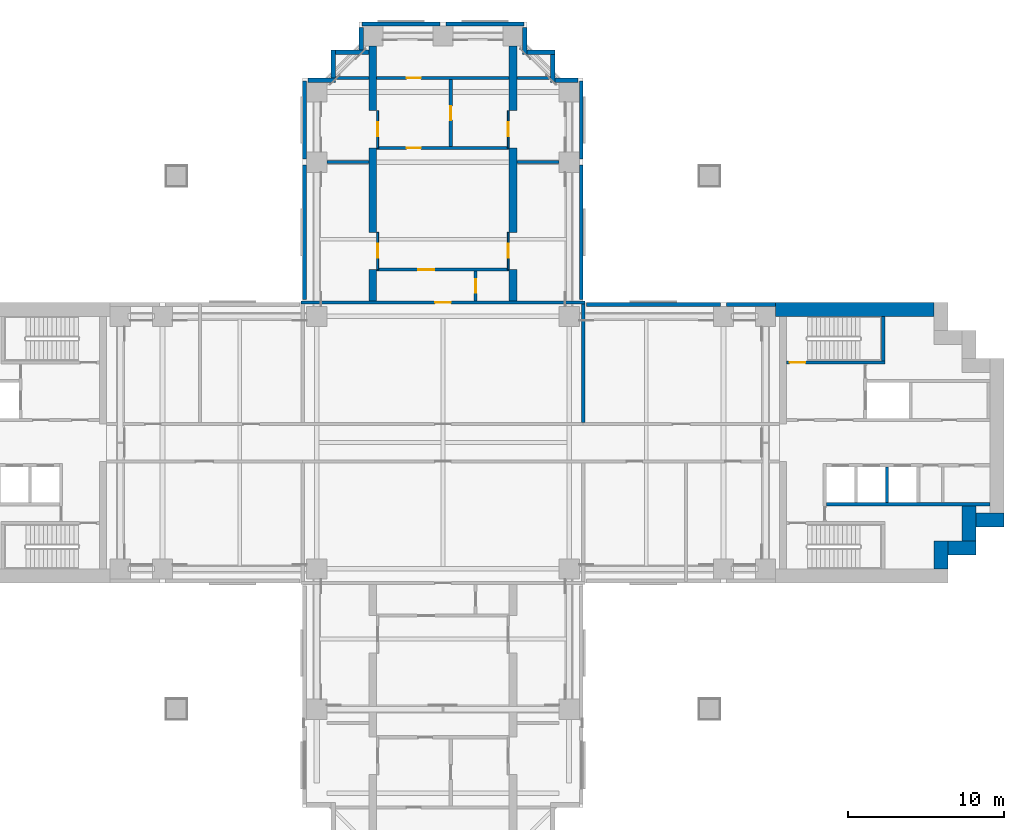
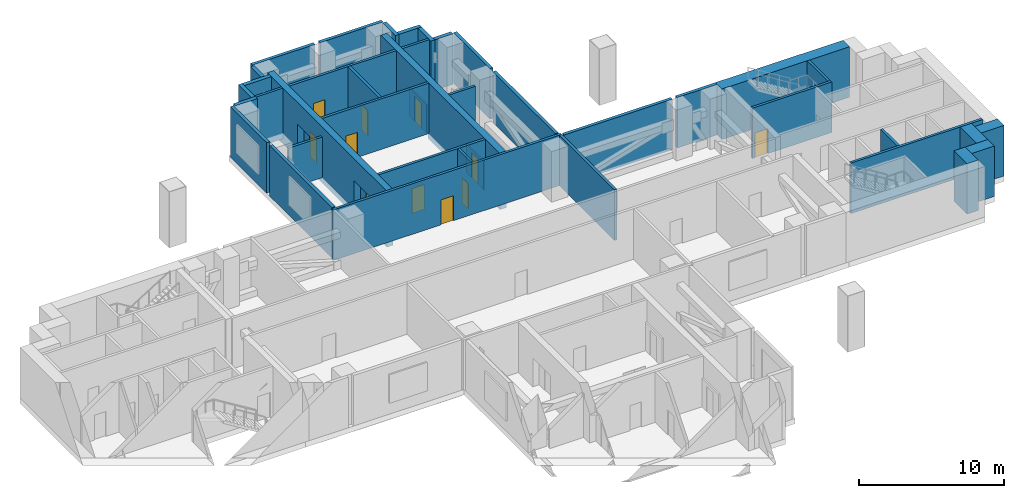
# One storey, part 6 of 10: 42 walls, 11 doors, 11 openings.
"""IFC4 building model written with IfcOpenShell, lengths in metres."""

from ifc_helpers import new_model, si_unit, direction, frame, frame_2d, origin, place, context, subcontext, project, spatial, polyline, rectangle, outline, extrude, material, layer, layer_set, material_profile, profile_set, type_object, element, fill, save


model = new_model("IFC4")

# Units and contexts
model_context = context("Model", 3, precision=1e-05, world=origin(), true_north=direction((0.0, 1.0)))
body_context = subcontext(model_context, "Body", "Model", "MODEL_VIEW")
ifc_project = project(units=[si_unit("LENGTHUNIT", "METRE"), si_unit("AREAUNIT", "SQUARE_METRE"), si_unit("VOLUMEUNIT", "CUBIC_METRE"), si_unit("PLANEANGLEUNIT", "RADIAN"), si_unit("MASSUNIT", "GRAM", prefix="KILO")], contexts=[model_context])

# Site, building, storey
site_placement = place(None, origin())
site = spatial("IfcSite", under=ifc_project, at=site_placement, CompositionType="ELEMENT")
building_placement = place(site_placement, origin())
building = spatial("IfcBuilding", under=site, at=building_placement, Name="Perihelion Cross Residences", CompositionType="ELEMENT")
storey_placement = place(building_placement, frame((0.0, 0.0, 97.89990234375)))
storey = spatial("IfcBuildingStorey", under=building, at=storey_placement, Name="L22", CompositionType="ELEMENT", Elevation=97.89990234375)

# Wall
ifc_material_1 = material(Name="Plasterboard partition")
ifc_layer_1 = layer(ifc_material_1, 0.199951171875)
ifc_layer_set_1 = layer_set([ifc_layer_1], Name="Apartment riser wall 200")
wall_type_1 = type_object("IfcWallType", Name="Apartment riser wall 200", PredefinedType="PARTITIONING", material=ifc_layer_set_1)
wall_1_placement = place(storey_placement, frame((9.0, 8.89990234375, 0.0), z_axis=(0.0, 0.0, 1.0), x_axis=(0.0, -1.0, 0.0)))
element("IfcWall", 1, at=wall_1_placement, inside=storey, type_object=wall_type_1, Name="Partition L22 W005", PredefinedType="PARTITIONING", context=body_context, shape_type="SweptSolid", body=[
    extrude(rectangle(XDim=7.599853515625, YDim=0.199951171875, at=frame_2d((3.7998046875, 0.0))), origin(), (0.0, 0.0, 1.0), 4.25),
])

# Wall, opening, door
wall_2_placement = place(storey_placement, frame((-9.10009765625, 9.0, 0.0), z_axis=(0.0, 0.0, 1.0), x_axis=(1.0, 0.0, 0.0)))
wall_2 = element("IfcWall", 2, at=wall_2_placement, inside=storey, type_object=wall_type_1, Name="Partition L22 W007", PredefinedType="PARTITIONING", context=body_context, shape_type="SweptSolid", body=[
    extrude(rectangle(XDim=18.2001953125, YDim=0.199951171875, at=frame_2d((9.10009765625, 0.0))), origin(), (0.0, 0.0, 1.0), 4.25),
])
opening_1_placement = place(wall_2_placement, frame((8.60009765625, 0.0, 0.0)))
opening_1 = element("IfcOpeningElement", 3, at=opening_1_placement, cuts=wall_2, Name="Opening L22.A09", PredefinedType="OPENING", context=body_context, shape_type="SweptSolid", body=[
    extrude(rectangle(XDim=1.0, YDim=2.10009765625, at=frame_2d((0.5, 1.050048828125))), frame((0.0, 0.10986328125, 0.0), z_axis=(0.0, -1.0, 0.0), x_axis=(1.0, 0.0, 0.0)), (0.0, 0.0, 1.0), 0.219970703125),
])
ifc_material_2 = material(Name="Steel door leaf", Category="steel")
door_type_1 = type_object("IfcDoorType", Name="Plant floor door 1000 x 2100", OperationType="SINGLE_SWING_LEFT", PredefinedType="DOOR", material=ifc_material_2)
door_1_placement = place(opening_1_placement, origin())
door_1 = element("IfcDoor", 4, at=door_1_placement, inside=storey, type_object=door_type_1, Name="Door L22.A09", OperationType="SINGLE_SWING_LEFT", OverallHeight=2.10009765625, OverallWidth=1.0, PredefinedType="DOOR", context=body_context, shape_type="SweptSolid", body=[
    extrude(rectangle(XDim=1.0, YDim=2.10009765625, at=frame_2d((0.5, 1.050048828125))), frame((0.0, 0.02490234375, 0.0), z_axis=(0.0, -1.0, 0.0), x_axis=(1.0, 0.0, 0.0)), (0.0, 0.0, 1.0), 0.050048828125),
])
fill(opening_1, door_1)

wall_3_placement = place(storey_placement, frame((2.10009765625, 11.0, 0.0), z_axis=(0.0, 0.0, 1.0), x_axis=(0.0, -1.0, 0.0)))
wall_3 = element("IfcWall", 5, at=wall_3_placement, inside=storey, type_object=wall_type_1, Name="Partition L22 W013", PredefinedType="PARTITIONING", context=body_context, shape_type="SweptSolid", body=[
    extrude(rectangle(XDim=1.89990234375, YDim=0.199951171875, at=frame_2d((0.949951171875, 0.0))), origin(), (0.0, 0.0, 1.0), 4.25),
])
opening_2_placement = place(wall_3_placement, frame((0.52490234375, 0.0, 0.0)))
opening_2 = element("IfcOpeningElement", 6, at=opening_2_placement, cuts=wall_3, Name="Opening L22.A10", PredefinedType="OPENING", context=body_context, shape_type="SweptSolid", body=[
    extrude(rectangle(XDim=0.85009765625, YDim=2.10009765625, at=frame_2d((0.425048828125, 1.050048828125))), frame((0.0, 0.10986328125, 0.0), z_axis=(0.0, -1.0, 0.0), x_axis=(1.0, 0.0, 0.0)), (0.0, 0.0, 1.0), 0.219970703125),
])
ifc_material_3 = material(Name="Timber door leaf", Category="wood")
door_type_2 = type_object("IfcDoorType", Name="Interior bathroom door 850 x 2100", OperationType="SINGLE_SWING_LEFT", PredefinedType="DOOR", material=ifc_material_3)
door_2_placement = place(opening_2_placement, origin())
door_2 = element("IfcDoor", 7, at=door_2_placement, inside=storey, type_object=door_type_2, Name="Door L22.A10", OperationType="SINGLE_SWING_RIGHT", OverallHeight=2.10009765625, OverallWidth=0.85009765625, PredefinedType="DOOR", context=body_context, shape_type="SweptSolid", body=[
    extrude(rectangle(XDim=0.85009765625, YDim=2.10009765625, at=frame_2d((0.425048828125, 1.050048828125))), frame((0.0, 0.02490234375, 0.0), z_axis=(0.0, -1.0, 0.0), x_axis=(1.0, 0.0, 0.0)), (0.0, 0.0, 1.0), 0.050048828125),
])
fill(opening_2, door_2)

wall_4_placement = place(storey_placement, frame((-4.25, 11.10009765625, 0.0), z_axis=(0.0, 0.0, 1.0), x_axis=(1.0, 0.0, 0.0)))
wall_4 = element("IfcWall", 8, at=wall_4_placement, inside=storey, type_object=wall_type_1, Name="Partition L22 W014", PredefinedType="PARTITIONING", context=body_context, shape_type="SweptSolid", body=[
    extrude(rectangle(XDim=8.5, YDim=0.199951171875, at=frame_2d((4.25, 0.0))), origin(), (0.0, 0.0, 1.0), 4.25),
])
opening_3_placement = place(wall_4_placement, frame((2.675048828125, 0.0, 0.0)))
opening_3 = element("IfcOpeningElement", 9, at=opening_3_placement, cuts=wall_4, Name="Opening L22.A11", PredefinedType="OPENING", context=body_context, shape_type="SweptSolid", body=[
    extrude(rectangle(XDim=1.0, YDim=2.10009765625, at=frame_2d((0.5, 1.050048828125))), frame((0.0, 0.10986328125, 0.0), z_axis=(0.0, -1.0, 0.0), x_axis=(1.0, 0.0, 0.0)), (0.0, 0.0, 1.0), 0.219970703125),
])
door_3_placement = place(opening_3_placement, origin())
door_3 = element("IfcDoor", 10, at=door_3_placement, inside=storey, type_object=door_type_1, Name="Door L22.A11", OperationType="SINGLE_SWING_RIGHT", OverallHeight=2.10009765625, OverallWidth=1.0, PredefinedType="DOOR", context=body_context, shape_type="SweptSolid", body=[
    extrude(rectangle(XDim=1.0, YDim=2.10009765625, at=frame_2d((0.5, 1.050048828125))), frame((0.0, 0.02490234375, 0.0), z_axis=(0.0, -1.0, 0.0), x_axis=(1.0, 0.0, 0.0)), (0.0, 0.0, 1.0), 0.050048828125),
])
fill(opening_3, door_3)

wall_5_placement = place(storey_placement, frame((-4.25, 18.89990234375, 0.0), z_axis=(0.0, 0.0, 1.0), x_axis=(1.0, 0.0, 0.0)))
wall_5 = element("IfcWall", 11, at=wall_5_placement, inside=storey, type_object=wall_type_1, Name="Partition L22 W015", PredefinedType="PARTITIONING", context=body_context, shape_type="SweptSolid", body=[
    extrude(rectangle(XDim=8.5, YDim=0.199951171875, at=frame_2d((4.25, 0.0))), origin(), (0.0, 0.0, 1.0), 4.25),
])
opening_4_placement = place(wall_5_placement, frame((1.925048828125, 0.0, 0.0)))
opening_4 = element("IfcOpeningElement", 12, at=opening_4_placement, cuts=wall_5, Name="Opening L22.A12", PredefinedType="OPENING", context=body_context, shape_type="SweptSolid", body=[
    extrude(rectangle(XDim=0.89990234375, YDim=2.10009765625, at=frame_2d((0.449951171875, 1.050048828125))), frame((0.0, 0.10986328125, 0.0), z_axis=(0.0, -1.0, 0.0), x_axis=(1.0, 0.0, 0.0)), (0.0, 0.0, 1.0), 0.219970703125),
])
ifc_material_4 = material(Name="Timber door leaf", Category="wood")
door_type_3 = type_object("IfcDoorType", Name="Interior room door 900 x 2100", OperationType="SINGLE_SWING_LEFT", PredefinedType="DOOR", material=ifc_material_4)
door_4_placement = place(opening_4_placement, origin())
door_4 = element("IfcDoor", 13, at=door_4_placement, inside=storey, type_object=door_type_3, Name="Door L22.A12", OperationType="SINGLE_SWING_LEFT", OverallHeight=2.10009765625, OverallWidth=0.89990234375, PredefinedType="DOOR", context=body_context, shape_type="SweptSolid", body=[
    extrude(rectangle(XDim=0.89990234375, YDim=2.10009765625, at=frame_2d((0.449951171875, 1.050048828125))), frame((0.0, 0.02490234375, 0.0), z_axis=(0.0, -1.0, 0.0), x_axis=(1.0, 0.0, 0.0)), (0.0, 0.0, 1.0), 0.050048828125),
])
fill(opening_4, door_4)

wall_6_placement = place(storey_placement, frame((0.5, 23.300048828125, 0.0), z_axis=(0.0, 0.0, 1.0), x_axis=(0.0, -1.0, 0.0)))
wall_6 = element("IfcWall", 14, at=wall_6_placement, inside=storey, type_object=wall_type_1, Name="Partition L22 W016", PredefinedType="PARTITIONING", context=body_context, shape_type="SweptSolid", body=[
    extrude(rectangle(XDim=4.300048828125, YDim=0.199951171875, at=frame_2d((2.14990234375, 0.0))), origin(), (0.0, 0.0, 1.0), 4.25),
])
opening_5_placement = place(wall_6_placement, frame((1.699951171875, 0.0, 0.0)))
opening_5 = element("IfcOpeningElement", 15, at=opening_5_placement, cuts=wall_6, Name="Opening L22.A13", PredefinedType="OPENING", context=body_context, shape_type="SweptSolid", body=[
    extrude(rectangle(XDim=0.89990234375, YDim=2.10009765625, at=frame_2d((0.449951171875, 1.050048828125))), frame((0.0, 0.10986328125, 0.0), z_axis=(0.0, -1.0, 0.0), x_axis=(1.0, 0.0, 0.0)), (0.0, 0.0, 1.0), 0.219970703125),
])
door_5_placement = place(opening_5_placement, origin())
door_5 = element("IfcDoor", 16, at=door_5_placement, inside=storey, type_object=door_type_3, Name="Door L22.A13", OperationType="SINGLE_SWING_RIGHT", OverallHeight=2.10009765625, OverallWidth=0.89990234375, PredefinedType="DOOR", context=body_context, shape_type="SweptSolid", body=[
    extrude(rectangle(XDim=0.89990234375, YDim=2.10009765625, at=frame_2d((0.449951171875, 1.050048828125))), frame((0.0, 0.02490234375, 0.0), z_axis=(0.0, -1.0, 0.0), x_axis=(1.0, 0.0, 0.0)), (0.0, 0.0, 1.0), 0.050048828125),
])
fill(opening_5, door_5)

wall_7_placement = place(storey_placement, frame((-4.25, 23.39990234375, 0.0), z_axis=(0.0, 0.0, 1.0), x_axis=(1.0, 0.0, 0.0)))
wall_7 = element("IfcWall", 17, at=wall_7_placement, inside=storey, type_object=wall_type_1, Name="Partition L22 W017", PredefinedType="PARTITIONING", context=body_context, shape_type="SweptSolid", body=[
    extrude(rectangle(XDim=8.5, YDim=0.199951171875, at=frame_2d((4.25, 0.0))), origin(), (0.0, 0.0, 1.0), 4.25),
])
opening_6_placement = place(wall_7_placement, frame((1.925048828125, 0.0, 0.0)))
opening_6 = element("IfcOpeningElement", 18, at=opening_6_placement, cuts=wall_7, Name="Opening L22.A14", PredefinedType="OPENING", context=body_context, shape_type="SweptSolid", body=[
    extrude(rectangle(XDim=0.89990234375, YDim=2.10009765625, at=frame_2d((0.449951171875, 1.050048828125))), frame((0.0, 0.10986328125, 0.0), z_axis=(0.0, -1.0, 0.0), x_axis=(1.0, 0.0, 0.0)), (0.0, 0.0, 1.0), 0.219970703125),
])
door_6_placement = place(opening_6_placement, origin())
door_6 = element("IfcDoor", 19, at=door_6_placement, inside=storey, type_object=door_type_3, Name="Door L22.A14", OperationType="SINGLE_SWING_RIGHT", OverallHeight=2.10009765625, OverallWidth=0.89990234375, PredefinedType="DOOR", context=body_context, shape_type="SweptSolid", body=[
    extrude(rectangle(XDim=0.89990234375, YDim=2.10009765625, at=frame_2d((0.449951171875, 1.050048828125))), frame((0.0, 0.02490234375, 0.0), z_axis=(0.0, -1.0, 0.0), x_axis=(1.0, 0.0, 0.0)), (0.0, 0.0, 1.0), 0.050048828125),
])
fill(opening_6, door_6)

# Walls
wall_8_placement = place(storey_placement, frame((4.75, 18.0, 0.0), z_axis=(0.0, 0.0, 1.0), x_axis=(1.0, 0.0, 0.0)))
element("IfcWall", 20, at=wall_8_placement, inside=storey, type_object=wall_type_1, Name="Partition L22 W018", PredefinedType="PARTITIONING", context=body_context, shape_type="SweptSolid", body=[
    extrude(rectangle(XDim=2.699951171875, YDim=0.199951171875, at=frame_2d((1.35009765625, 0.0))), origin(), (0.0, 0.0, 1.0), 3.4140625),
])
wall_9_placement = place(storey_placement, frame((4.75, 23.39990234375, 0.0), z_axis=(0.0, 0.0, 1.0), x_axis=(1.0, 0.0, 0.0)))
element("IfcWall", 21, at=wall_9_placement, inside=storey, type_object=wall_type_1, Name="Partition L22 W019", PredefinedType="PARTITIONING", context=body_context, shape_type="SweptSolid", body=[
    extrude(rectangle(XDim=2.14990234375, YDim=0.199951171875, at=frame_2d((1.074951171875, 0.0))), origin(), (0.0, 0.0, 1.0), 4.25),
])
wall_10_placement = place(storey_placement, frame((-7.449951171875, 18.0, 0.0), z_axis=(0.0, 0.0, 1.0), x_axis=(1.0, 0.0, 0.0)))
element("IfcWall", 22, at=wall_10_placement, inside=storey, type_object=wall_type_1, Name="Partition L22 W020", PredefinedType="PARTITIONING", context=body_context, shape_type="SweptSolid", body=[
    extrude(rectangle(XDim=2.699951171875, YDim=0.199951171875, at=frame_2d((1.35009765625, 0.0))), origin(), (0.0, 0.0, 1.0), 3.4140625),
])
wall_11_placement = place(storey_placement, frame((-6.89990234375, 23.39990234375, 0.0), z_axis=(0.0, 0.0, 1.0), x_axis=(1.0, 0.0, 0.0)))
element("IfcWall", 23, at=wall_11_placement, inside=storey, type_object=wall_type_1, Name="Partition L22 W021", PredefinedType="PARTITIONING", context=body_context, shape_type="SweptSolid", body=[
    extrude(rectangle(XDim=2.14990234375, YDim=0.199951171875, at=frame_2d((1.074951171875, 0.0))), origin(), (0.0, 0.0, 1.0), 4.25),
])
ifc_material_5 = material(Name="Concrete C30/37, bronze-clad", Category="concrete")
ifc_layer_2 = layer(ifc_material_5, 0.300048828125)
ifc_layer_set_2 = layer_set([ifc_layer_2], Name="Bronze-clad serration wall 300")
wall_type_2 = type_object("IfcWallType", Name="Bronze-clad serration wall 300", PredefinedType="SOLIDWALL", material=ifc_layer_set_2)
wall_12_placement = place(storey_placement, frame((8.64990234375, 23.25, 0.0), z_axis=(0.0, 0.0, 1.0), x_axis=(-1.0, 0.0, 0.0)))
element("IfcWall", 24, at=wall_12_placement, inside=storey, type_object=wall_type_2, Name="Wall SR1 L22 north corner north-east 1", PredefinedType="SOLIDWALL", context=body_context, shape_type="SweptSolid", body=[
    extrude(rectangle(XDim=1.449951171875, YDim=0.300048828125, at=frame_2d((0.72509765625, 0.0))), origin(), (0.0, 0.0, 1.0), 4.25),
])
wall_13_placement = place(storey_placement, frame((7.050048828125, 23.10009765625, 0.0), z_axis=(0.0, 0.0, 1.0), x_axis=(0.0, 1.0, 0.0)))
element("IfcWall", 25, at=wall_13_placement, inside=storey, type_object=wall_type_2, Name="Wall SR1 L22 north corner north-east 2", PredefinedType="SOLIDWALL", context=body_context, shape_type="SweptSolid", body=[
    extrude(rectangle(XDim=1.7998046875, YDim=0.300048828125, at=frame_2d((0.89990234375, 0.0))), origin(), (0.0, 0.0, 1.0), 4.25),
])
wall_14_placement = place(storey_placement, frame((7.199951171875, 25.050048828125, 0.0), z_axis=(0.0, 0.0, 1.0), x_axis=(-1.0, 0.0, 0.0)))
element("IfcWall", 26, at=wall_14_placement, inside=storey, type_object=wall_type_2, Name="Wall SR1 L22 north corner north-east 3", PredefinedType="SOLIDWALL", context=body_context, shape_type="SweptSolid", body=[
    extrude(rectangle(XDim=1.800048828125, YDim=0.300048828125, at=frame_2d((0.89990234375, 0.0))), origin(), (0.0, 0.0, 1.0), 4.25),
])
wall_15_placement = place(storey_placement, frame((5.25, 24.89990234375, 0.0), z_axis=(0.0, 0.0, 1.0), x_axis=(0.0, 1.0, 0.0)))
element("IfcWall", 27, at=wall_15_placement, inside=storey, type_object=wall_type_2, Name="Wall SR1 L22 north corner north-east 4", PredefinedType="SOLIDWALL", context=body_context, shape_type="SweptSolid", body=[
    extrude(rectangle(XDim=1.75, YDim=0.300048828125, at=frame_2d((0.875, 0.0))), origin(), (0.0, 0.0, 1.0), 4.25),
])
wall_16_placement = place(storey_placement, frame((-5.25, 26.64990234375, 0.0), z_axis=(0.0, 0.0, 1.0), x_axis=(0.0, -1.0, 0.0)))
element("IfcWall", 28, at=wall_16_placement, inside=storey, type_object=wall_type_2, Name="Wall SR1 L22 north corner north-west 1", PredefinedType="SOLIDWALL", context=body_context, shape_type="SweptSolid", body=[
    extrude(rectangle(XDim=1.449951171875, YDim=0.300048828125, at=frame_2d((0.72509765625, 0.0))), origin(), (0.0, 0.0, 1.0), 4.25),
])
wall_17_placement = place(storey_placement, frame((-4.75, 25.050048828125, 0.0), z_axis=(0.0, 0.0, 1.0), x_axis=(-1.0, 0.0, 0.0)))
element("IfcWall", 29, at=wall_17_placement, inside=storey, type_object=wall_type_2, Name="Wall SR1 L22 north corner north-west 2", PredefinedType="SOLIDWALL", context=body_context, shape_type="SweptSolid", body=[
    extrude(rectangle(XDim=2.14990234375, YDim=0.300048828125, at=frame_2d((1.074951171875, 0.0))), origin(), (0.0, 0.0, 1.0), 4.25),
])
wall_18_placement = place(storey_placement, frame((-7.050048828125, 25.199951171875, 0.0), z_axis=(0.0, 0.0, 1.0), x_axis=(0.0, -1.0, 0.0)))
element("IfcWall", 30, at=wall_18_placement, inside=storey, type_object=wall_type_2, Name="Wall SR1 L22 north corner north-west 3", PredefinedType="SOLIDWALL", context=body_context, shape_type="SweptSolid", body=[
    extrude(rectangle(XDim=1.800048828125, YDim=0.300048828125, at=frame_2d((0.89990234375, 0.0))), origin(), (0.0, 0.0, 1.0), 4.25),
])
wall_19_placement = place(storey_placement, frame((-6.89990234375, 23.25, 0.0), z_axis=(0.0, 0.0, 1.0), x_axis=(-1.0, 0.0, 0.0)))
element("IfcWall", 31, at=wall_19_placement, inside=storey, type_object=wall_type_2, Name="Wall SR1 L22 north corner north-west 4", PredefinedType="SOLIDWALL", context=body_context, shape_type="SweptSolid", body=[
    extrude(rectangle(XDim=1.75, YDim=0.300048828125, at=frame_2d((0.875, 0.0))), origin(), (0.0, 0.0, 1.0), 4.25),
])
ifc_material_6 = material(Name="Concrete C60/75", Category="concrete")
ifc_layer_3 = layer(ifc_material_6, 0.89990234375)
ifc_layer_set_3 = layer_set([ifc_layer_3], Name="Core wall, outer 900")
wall_type_3 = type_object("IfcWallType", Name="Core wall, outer 900", PredefinedType="SHEAR", material=ifc_layer_set_3)
for number, where, z_axis, x_axis, name in (
    (32, (31.949951171875, -8.10009765625, 0.0), (0.0, 0.0, 1.0), (0.0, 1.0, 0.0), "East core core wall, outer"),
    (33, (32.39990234375, -6.75, 0.0), (0.0, 0.0, 1.0), (1.0, 0.0, 0.0), "East core core wall, outer"),
):
    element("IfcWall", number, at=place(storey_placement, frame(where, z_axis=z_axis, x_axis=x_axis)), inside=storey, type_object=wall_type_3, Name=name, PredefinedType="SHEAR", context=body_context, shape_type="SweptSolid", body=[
        extrude(rectangle(XDim=1.800048828125, YDim=0.89990234375, at=frame_2d((0.89990234375, 0.0))), origin(), (0.0, 0.0, 1.0), 4.25),
    ])
wall_20_placement = place(storey_placement, frame((33.75, -6.300048828125, 0.0), z_axis=(0.0, 0.0, 1.0), x_axis=(0.0, 1.0, 0.0)))
element("IfcWall", 34, at=wall_20_placement, inside=storey, type_object=wall_type_3, Name="East core core wall, outer", PredefinedType="SHEAR", context=body_context, shape_type="SweptSolid", body=[
    extrude(rectangle(XDim=2.25, YDim=0.89990234375, at=frame_2d((1.125, 0.0))), origin(), (0.0, 0.0, 1.0), 4.25),
])
wall_21_placement = place(storey_placement, frame((34.199951171875, -4.949951171875, 0.0), z_axis=(0.0, 0.0, 1.0), x_axis=(1.0, 0.0, 0.0)))
element("IfcWall", 35, at=wall_21_placement, inside=storey, type_object=wall_type_3, Name="East core core wall, outer", PredefinedType="SHEAR", context=body_context, shape_type="SweptSolid", body=[
    extrude(rectangle(XDim=1.800048828125, YDim=0.89990234375, at=frame_2d((0.89990234375, 0.0))), origin(), (0.0, 0.0, 1.0), 4.25),
])
wall_22_placement = place(storey_placement, frame((21.35009765625, 8.550048828125, 0.0), z_axis=(0.0, 0.0, 1.0), x_axis=(1.0, 0.0, 0.0)))
element("IfcWall", 36, at=wall_22_placement, inside=storey, type_object=wall_type_3, Name="East core core wall, outer", PredefinedType="SHEAR", context=body_context, shape_type="SweptSolid", body=[
    extrude(rectangle(XDim=10.14990234375, YDim=0.89990234375, at=frame_2d((5.074951171875, 0.0))), origin(), (0.0, 0.0, 1.0), 4.25),
])

# Wall, opening, door
ifc_material_7 = material(Name="Plasterboard partition")
ifc_layer_4 = layer(ifc_material_7, 0.1201171875)
ifc_layer_set_4 = layer_set([ifc_layer_4], Name="Infill panel 120")
wall_type_4 = type_object("IfcWallType", Name="Infill panel 120", PredefinedType="PARTITIONING", material=ifc_layer_set_4)
wall_23_placement = place(storey_placement, frame((4.18994140625, 11.10009765625, 0.0), z_axis=(0.0, 0.0, 1.0), x_axis=(0.0, 1.0, 0.0)))
wall_23 = element("IfcWall", 37, at=wall_23_placement, inside=storey, type_object=wall_type_4, Name="Partition L22 WI01", PredefinedType="PARTITIONING", context=body_context, shape_type="SweptSolid", body=[
    extrude(rectangle(XDim=2.39990234375, YDim=0.1201171875, at=frame_2d((1.199951171875, 0.0))), origin(), (0.0, 0.0, 1.0), 2.400146484375),
])
opening_7_placement = place(wall_23_placement, frame((0.75, 0.0, 0.0)))
opening_7 = element("IfcOpeningElement", 38, at=opening_7_placement, cuts=wall_23, Name="Opening L22.A21", PredefinedType="OPENING", context=body_context, shape_type="SweptSolid", body=[
    extrude(rectangle(XDim=0.89990234375, YDim=2.10009765625, at=frame_2d((0.449951171875, 1.050048828125))), frame((0.0, 0.070068359375, 0.0), z_axis=(0.0, -1.0, 0.0), x_axis=(1.0, 0.0, 0.0)), (0.0, 0.0, 1.0), 0.14013671875),
])
door_7_placement = place(opening_7_placement, origin())
door_7 = element("IfcDoor", 39, at=door_7_placement, inside=storey, type_object=door_type_3, Name="Door L22.A21", OperationType="SINGLE_SWING_LEFT", OverallHeight=2.10009765625, OverallWidth=0.89990234375, PredefinedType="DOOR", context=body_context, shape_type="SweptSolid", body=[
    extrude(rectangle(XDim=0.89990234375, YDim=2.10009765625, at=frame_2d((0.449951171875, 1.050048828125))), frame((0.0, 0.02490234375, 0.0), z_axis=(0.0, -1.0, 0.0), x_axis=(1.0, 0.0, 0.0)), (0.0, 0.0, 1.0), 0.050048828125),
])
fill(opening_7, door_7)

wall_24_placement = place(storey_placement, frame((4.18994140625, 18.89990234375, 0.0), z_axis=(0.0, 0.0, 1.0), x_axis=(0.0, 1.0, 0.0)))
wall_24 = element("IfcWall", 40, at=wall_24_placement, inside=storey, type_object=wall_type_4, Name="Partition L22 WI02", PredefinedType="PARTITIONING", context=body_context, shape_type="SweptSolid", body=[
    extrude(rectangle(XDim=2.400146484375, YDim=0.1201171875, at=frame_2d((1.2001953125, 0.0))), origin(), (0.0, 0.0, 1.0), 2.400146484375),
])
opening_8_placement = place(wall_24_placement, frame((0.75, 0.0, 0.0)))
opening_8 = element("IfcOpeningElement", 41, at=opening_8_placement, cuts=wall_24, Name="Opening L22.A22", PredefinedType="OPENING", context=body_context, shape_type="SweptSolid", body=[
    extrude(rectangle(XDim=0.89990234375, YDim=2.10009765625, at=frame_2d((0.449951171875, 1.050048828125))), frame((0.0, 0.070068359375, 0.0), z_axis=(0.0, -1.0, 0.0), x_axis=(1.0, 0.0, 0.0)), (0.0, 0.0, 1.0), 0.14013671875),
])
door_8_placement = place(opening_8_placement, origin())
door_8 = element("IfcDoor", 42, at=door_8_placement, inside=storey, type_object=door_type_3, Name="Door L22.A22", OperationType="SINGLE_SWING_RIGHT", OverallHeight=2.10009765625, OverallWidth=0.89990234375, PredefinedType="DOOR", context=body_context, shape_type="SweptSolid", body=[
    extrude(rectangle(XDim=0.89990234375, YDim=2.10009765625, at=frame_2d((0.449951171875, 1.050048828125))), frame((0.0, 0.02490234375, 0.0), z_axis=(0.0, -1.0, 0.0), x_axis=(1.0, 0.0, 0.0)), (0.0, 0.0, 1.0), 0.050048828125),
])
fill(opening_8, door_8)

wall_25_placement = place(storey_placement, frame((-4.18994140625, 11.10009765625, 0.0), z_axis=(0.0, 0.0, 1.0), x_axis=(0.0, 1.0, 0.0)))
wall_25 = element("IfcWall", 43, at=wall_25_placement, inside=storey, type_object=wall_type_4, Name="Partition L22 WI03", PredefinedType="PARTITIONING", context=body_context, shape_type="SweptSolid", body=[
    extrude(rectangle(XDim=2.39990234375, YDim=0.1201171875, at=frame_2d((1.199951171875, 0.0))), origin(), (0.0, 0.0, 1.0), 2.400146484375),
])
opening_9_placement = place(wall_25_placement, frame((0.75, 0.0, 0.0)))
opening_9 = element("IfcOpeningElement", 44, at=opening_9_placement, cuts=wall_25, Name="Opening L22.A23", PredefinedType="OPENING", context=body_context, shape_type="SweptSolid", body=[
    extrude(rectangle(XDim=0.89990234375, YDim=2.10009765625, at=frame_2d((0.449951171875, 1.050048828125))), frame((0.0, 0.070068359375, 0.0), z_axis=(0.0, -1.0, 0.0), x_axis=(1.0, 0.0, 0.0)), (0.0, 0.0, 1.0), 0.14013671875),
])
door_9_placement = place(opening_9_placement, origin())
door_9 = element("IfcDoor", 45, at=door_9_placement, inside=storey, type_object=door_type_3, Name="Door L22.A23", OperationType="SINGLE_SWING_RIGHT", OverallHeight=2.10009765625, OverallWidth=0.89990234375, PredefinedType="DOOR", context=body_context, shape_type="SweptSolid", body=[
    extrude(rectangle(XDim=0.89990234375, YDim=2.10009765625, at=frame_2d((0.449951171875, 1.050048828125))), frame((0.0, 0.02490234375, 0.0), z_axis=(0.0, -1.0, 0.0), x_axis=(1.0, 0.0, 0.0)), (0.0, 0.0, 1.0), 0.050048828125),
])
fill(opening_9, door_9)

wall_26_placement = place(storey_placement, frame((-4.18994140625, 18.89990234375, 0.0), z_axis=(0.0, 0.0, 1.0), x_axis=(0.0, 1.0, 0.0)))
wall_26 = element("IfcWall", 46, at=wall_26_placement, inside=storey, type_object=wall_type_4, Name="Partition L22 WI04", PredefinedType="PARTITIONING", context=body_context, shape_type="SweptSolid", body=[
    extrude(rectangle(XDim=2.400146484375, YDim=0.1201171875, at=frame_2d((1.2001953125, 0.0))), origin(), (0.0, 0.0, 1.0), 2.400146484375),
])
opening_10_placement = place(wall_26_placement, frame((0.75, 0.0, 0.0)))
opening_10 = element("IfcOpeningElement", 47, at=opening_10_placement, cuts=wall_26, Name="Opening L22.A24", PredefinedType="OPENING", context=body_context, shape_type="SweptSolid", body=[
    extrude(rectangle(XDim=0.89990234375, YDim=2.10009765625, at=frame_2d((0.449951171875, 1.050048828125))), frame((0.0, 0.070068359375, 0.0), z_axis=(0.0, -1.0, 0.0), x_axis=(1.0, 0.0, 0.0)), (0.0, 0.0, 1.0), 0.14013671875),
])
door_10_placement = place(opening_10_placement, origin())
door_10 = element("IfcDoor", 48, at=door_10_placement, inside=storey, type_object=door_type_3, Name="Door L22.A24", OperationType="SINGLE_SWING_LEFT", OverallHeight=2.10009765625, OverallWidth=0.89990234375, PredefinedType="DOOR", context=body_context, shape_type="SweptSolid", body=[
    extrude(rectangle(XDim=0.89990234375, YDim=2.10009765625, at=frame_2d((0.449951171875, 1.050048828125))), frame((0.0, 0.02490234375, 0.0), z_axis=(0.0, -1.0, 0.0), x_axis=(1.0, 0.0, 0.0)), (0.0, 0.0, 1.0), 0.050048828125),
])
fill(opening_10, door_10)

# Walls
ifc_material_8 = material(Name="Concrete C30/37, bronze-clad", Category="concrete")
ifc_layer_5 = layer(ifc_material_8, 0.25)
ifc_layer_set_5 = layer_set([ifc_layer_5], Name="Louvre bay wall 250")
wall_type_5 = type_object("IfcWallType", Name="Louvre bay wall 250", PredefinedType="SOLIDWALL", material=ifc_layer_set_5)
wall_27_placement = place(storey_placement, frame((21.35009765625, 8.875, 0.0), z_axis=(0.0, 0.0, 1.0), x_axis=(-1.0, 0.0, 0.0)))
element("IfcWall", 49, at=wall_27_placement, inside=storey, type_object=wall_type_5, Name="Wall FW2 L22 east side north bay 1 louvre", PredefinedType="SOLIDWALL", context=body_context, shape_type="SweptSolid", body=[
    extrude(rectangle(XDim=3.150146484375, YDim=0.25, at=frame_2d((1.5751953125, 0.0))), origin(), (0.0, 0.0, 1.0), 4.25),
])
for number, where, z_axis, x_axis, name in (
    (50, (17.800048828125, 8.875, 0.0), (0.0, 0.0, 1.0), (-1.0, 0.0, 0.0), "Wall FW2 L22 east side north bay 2 louvre"),
    (51, (8.875, 9.199951171875, 0.0), (0.0, 0.0, 1.0), (0.0, 1.0, 0.0), "Wall FW2 L22 north side east bay 1 louvre"),
):
    element("IfcWall", number, at=place(storey_placement, frame(where, z_axis=z_axis, x_axis=x_axis)), inside=storey, type_object=wall_type_5, Name=name, PredefinedType="SOLIDWALL", context=body_context, shape_type="SweptSolid", body=[
        extrude(rectangle(XDim=8.60009765625, YDim=0.25, at=frame_2d((4.300048828125, 0.0))), origin(), (0.0, 0.0, 1.0), 4.25),
    ])
for number, where, z_axis, x_axis, name in (
    (52, (8.875, 18.199951171875, 0.0), (0.0, 0.0, 1.0), (0.0, 1.0, 0.0), "Wall FW2 L22 north side east bay 2 louvre"),
    (53, (5.199951171875, 26.875, 0.0), (0.0, 0.0, 1.0), (-1.0, 0.0, 0.0), "Wall FW2 L22 north tip north bay 1 louvre"),
    (54, (-0.199951171875, 26.875, 0.0), (0.0, 0.0, 1.0), (-1.0, 0.0, 0.0), "Wall FW2 L22 north tip north bay 2 louvre"),
    (55, (-8.875, 23.199951171875, 0.0), (0.0, 0.0, 1.0), (0.0, -1.0, 0.0), "Wall FW2 L22 north side west bay 1 louvre"),
):
    element("IfcWall", number, at=place(storey_placement, frame(where, z_axis=z_axis, x_axis=x_axis)), inside=storey, type_object=wall_type_5, Name=name, PredefinedType="SOLIDWALL", context=body_context, shape_type="SweptSolid", body=[
        extrude(rectangle(XDim=5.0, YDim=0.25, at=frame_2d((2.5, 0.0))), origin(), (0.0, 0.0, 1.0), 4.25),
    ])
wall_28_placement = place(storey_placement, frame((-8.875, 17.800048828125, 0.0), z_axis=(0.0, 0.0, 1.0), x_axis=(0.0, -1.0, 0.0)))
element("IfcWall", 56, at=wall_28_placement, inside=storey, type_object=wall_type_5, Name="Wall FW2 L22 north side west bay 2 louvre", PredefinedType="SOLIDWALL", context=body_context, shape_type="SweptSolid", body=[
    extrude(rectangle(XDim=8.60009765625, YDim=0.25, at=frame_2d((4.300048828125, 0.0))), origin(), (0.0, 0.0, 1.0), 4.25),
])
ifc_material_9 = material(Name="Concrete C50/60", Category="concrete")
ifc_layer_6 = layer(ifc_material_9, 0.199951171875)
ifc_layer_set_6 = layer_set([ifc_layer_6], Name="Shaft wall 200")
wall_type_6 = type_object("IfcWallType", Name="Shaft wall 200", PredefinedType="SOLIDWALL", material=ifc_layer_set_6)
wall_29_placement = place(storey_placement, frame((24.60009765625, -3.949951171875, 0.0), z_axis=(0.0, 0.0, 1.0), x_axis=(1.0, 0.0, 0.0)))
element("IfcWall", 57, at=wall_29_placement, inside=storey, type_object=wall_type_6, Name="East core shaft wall", PredefinedType="SOLIDWALL", context=body_context, shape_type="SweptSolid", body=[
    extrude(rectangle(XDim=10.5, YDim=0.199951171875, at=frame_2d((5.25, 0.0))), origin(), (0.0, 0.0, 1.0), 4.25),
])
wall_30_placement = place(storey_placement, frame((28.5, -3.85009765625, 0.0), z_axis=(0.0, 0.0, 1.0), x_axis=(0.0, 1.0, 0.0)))
element("IfcWall", 58, at=wall_30_placement, inside=storey, type_object=wall_type_6, Name="East core shaft wall", PredefinedType="SOLIDWALL", context=body_context, shape_type="SweptSolid", body=[
    extrude(rectangle(XDim=2.300048828125, YDim=0.199951171875, at=frame_2d((1.14990234375, 0.0))), origin(), (0.0, 0.0, 1.0), 4.25),
])

# Wall, opening, door
ifc_material_10 = material(Name="Concrete C50/60", Category="concrete")
ifc_layer_7 = layer(ifc_material_10, 0.199951171875)
ifc_layer_set_7 = layer_set([ifc_layer_7], Name="Stair wall 200")
wall_type_7 = type_object("IfcWallType", Name="Stair wall 200", PredefinedType="SOLIDWALL", material=ifc_layer_set_7)
wall_31_placement = place(storey_placement, frame((22.050048828125, 5.14990234375, 0.0), z_axis=(0.0, 0.0, 1.0), x_axis=(1.0, 0.0, 0.0)))
wall_31 = element("IfcWall", 59, at=wall_31_placement, inside=storey, type_object=wall_type_7, Name="East core stair wall", PredefinedType="SOLIDWALL", context=body_context, shape_type="SweptSolid", body=[
    extrude(rectangle(XDim=6.300048828125, YDim=0.199951171875, at=frame_2d((3.14990234375, 0.0))), origin(), (0.0, 0.0, 1.0), 4.25),
])
opening_11_placement = place(wall_31_placement, frame((0.199951171875, 0.0, 0.0)))
opening_11 = element("IfcOpeningElement", 60, at=opening_11_placement, cuts=wall_31, Name="Opening L22.C06", PredefinedType="OPENING", context=body_context, shape_type="SweptSolid", body=[
    extrude(rectangle(XDim=1.0, YDim=2.10009765625, at=frame_2d((0.5, 1.050048828125))), frame((0.0, 0.10986328125, 0.0), z_axis=(0.0, -1.0, 0.0), x_axis=(1.0, 0.0, 0.0)), (0.0, 0.0, 1.0), 0.219970703125),
])
ifc_material_11 = material(Name="Steel, powder coated", Category="steel")
door_type_4 = type_object("IfcDoorType", Name="Stair door 1000", OperationType="SINGLE_SWING_LEFT", PredefinedType="DOOR", material=ifc_material_11)
door_11_placement = place(opening_11_placement, origin())
door_11 = element("IfcDoor", 61, at=door_11_placement, inside=storey, type_object=door_type_4, Name="East core stair door", OperationType="SINGLE_SWING_LEFT", OverallHeight=2.10009765625, OverallWidth=1.0, PredefinedType="DOOR", context=body_context, shape_type="SweptSolid", body=[
    extrude(rectangle(XDim=1.0, YDim=2.10009765625, at=frame_2d((0.5, 1.050048828125))), frame((0.0, 0.02490234375, 0.0), z_axis=(0.0, -1.0, 0.0), x_axis=(1.0, 0.0, 0.0)), (0.0, 0.0, 1.0), 0.050048828125),
])
fill(opening_11, door_11)

# Walls
wall_32_placement = place(storey_placement, frame((28.25, 5.25, 0.0), z_axis=(0.0, 0.0, 1.0), x_axis=(0.0, 1.0, 0.0)))
element("IfcWall", 62, at=wall_32_placement, inside=storey, type_object=wall_type_7, Name="East core stair wall", PredefinedType="SOLIDWALL", context=body_context, shape_type="SweptSolid", body=[
    extrude(rectangle(XDim=2.85009765625, YDim=0.199951171875, at=frame_2d((1.425048828125, 0.0))), origin(), (0.0, 0.0, 1.0), 4.25),
])
ifc_material_12 = material(Name="Concrete C60/75", Category="concrete")
ifc_material_profile = material_profile(ifc_material_12, outline(polyline([(0.0, 0.0), (2.10009765625, 0.0), (2.10009765625, 2.85009765625), (4.5, 2.85009765625), (4.5, 0.0), (9.89990234375, 0.0), (9.89990234375, 2.85009765625), (12.300048828125, 2.85009765625), (12.300048828125, 0.0), (16.449951171875, 0.0), (16.449951171875, 4.699951171875), (0.0, 4.699951171875), (0.0, 0.0)])), Name="Tip spine wall")
ifc_profile_set = profile_set([ifc_material_profile], Name="Concrete C60/75")
wall_type_8 = type_object("IfcWallType", Name="Tip spine wall 500 with 2 door openings 16450 long 4700 high concrete C60/75", PredefinedType="SHEAR", material=ifc_profile_set)
for number, where, z_axis, x_axis, name in (
    (63, (-4.75, 9.0, -0.449951171875), (1.0, 0.0, 0.0), (0.0, 1.0, 0.0), "Shear wall SW32 L22 north west"),
    (64, (4.25, 9.0, -0.449951171875), (1.0, 0.0, 0.0), (0.0, 1.0, 0.0), "Shear wall SW32 L22 north east"),
):
    element("IfcWall", number, at=place(storey_placement, frame(where, z_axis=z_axis, x_axis=x_axis)), inside=storey, type_object=wall_type_8, Name=name, PredefinedType="SHEAR", context=body_context, shape_type="SweptSolid", body=[
        extrude(outline(polyline([(0.0, 0.0), (2.10009765625, 0.0), (2.10009765625, 2.85009765625), (4.5, 2.85009765625), (4.5, 0.0), (9.89990234375, 0.0), (9.89990234375, 2.85009765625), (12.300048828125, 2.85009765625), (12.300048828125, 0.0), (16.449951171875, 0.0), (16.449951171875, 4.699951171875), (0.0, 4.699951171875), (0.0, 0.0)])), origin(), (0.0, 0.0, 1.0), 0.5),
    ])

save(model, "model.ifc")
